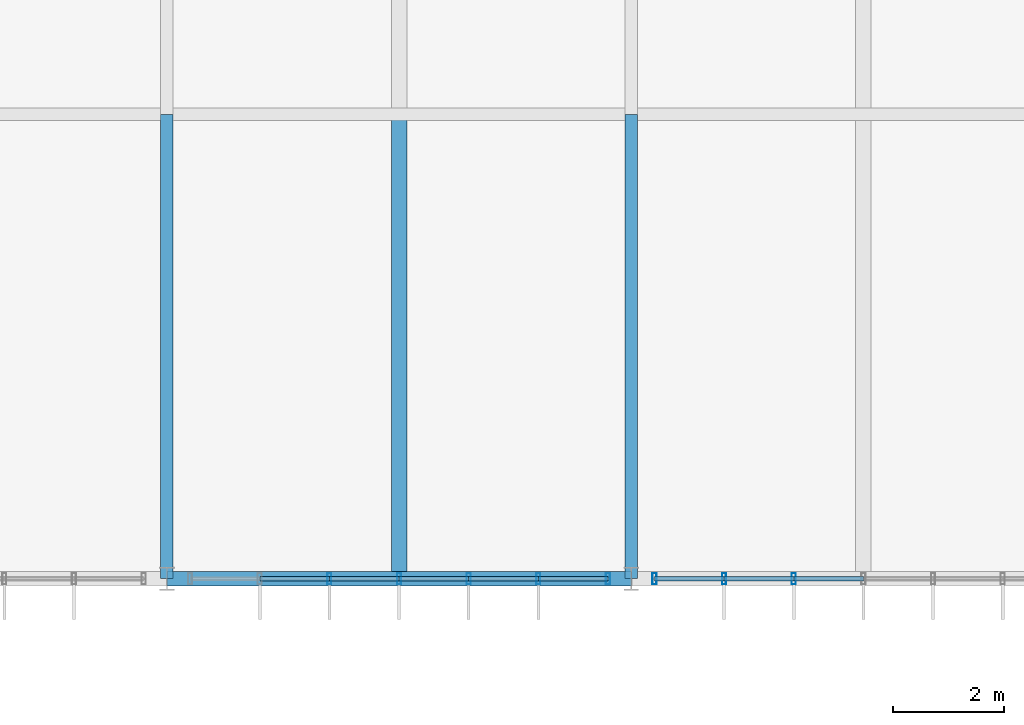
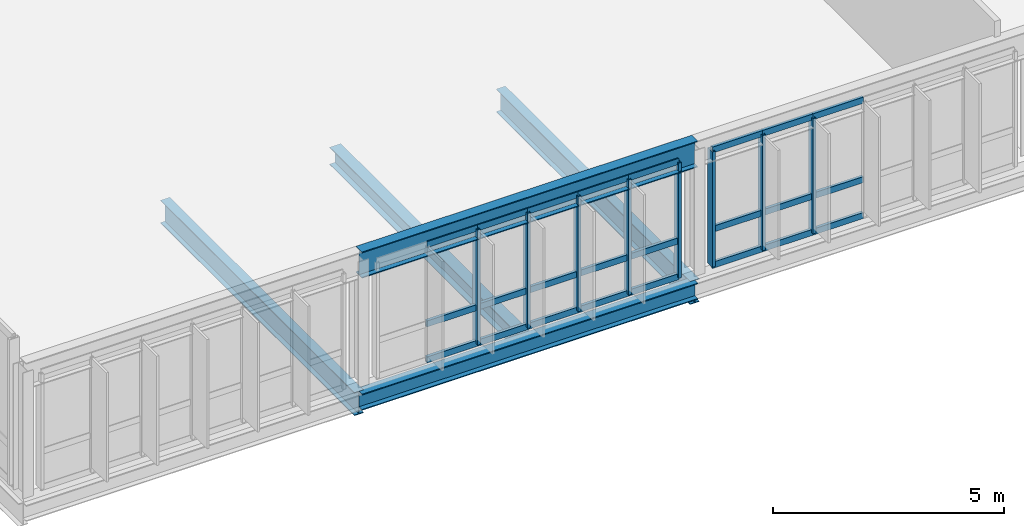
# One storey, part 14 of 107: 32 members, 5 beams, 2 elements without a shape of their own.
"""IFC4 building model written with IfcOpenShell, lengths in metres."""

from ifc_helpers import new_model, si_unit, derived_unit, direction, frame, origin, origin_2d, place, context, subcontext, project, spatial, hollow_rectangle, i_section, extrude, material, layer, layer_set, material_profile, profile_set, type_object, element, aggregate, save


model = new_model("IFC4")

# Units and contexts
model_context = context("Model", 3, precision=1e-05, world=origin(), true_north=direction((0.0, 1.0)))
body_context = subcontext(model_context, "Body", "Model", "MODEL_VIEW")
ifc_project = project(units=[si_unit("LENGTHUNIT", "METRE"), si_unit("AREAUNIT", "SQUARE_METRE"), si_unit("VOLUMEUNIT", "CUBIC_METRE"), si_unit("PLANEANGLEUNIT", "RADIAN"), si_unit("MASSUNIT", "GRAM", prefix="KILO"), derived_unit("THERMALTRANSMITTANCEUNIT", [(si_unit("MASSUNIT", "GRAM", prefix="KILO"), 1), (si_unit("TIMEUNIT", "SECOND"), -3), (si_unit("THERMODYNAMICTEMPERATUREUNIT", "KELVIN"), -1)])], contexts=[model_context])

# Site, building, storey
site_placement = place(None, origin())
site = spatial("IfcSite", under=ifc_project, at=site_placement, CompositionType="ELEMENT")
building_placement = place(site_placement, origin())
building = spatial("IfcBuilding", under=site, at=building_placement, Name="Makaiwela Harbour Ferry Terminal", CompositionType="ELEMENT")
storey_placement = place(building_placement, frame((0.0, 0.0, 9.60009765625)))
storey = spatial("IfcBuildingStorey", under=building, at=storey_placement, Name="L02", CompositionType="ELEMENT", Elevation=9.60009765625)

# Curtain wall, members
ifc_material_1 = material(Name="Marine anodised aluminium 6063-T6", Category="aluminium")
ifc_layer = layer(ifc_material_1, 0.199951171875)
ifc_layer_set = layer_set([ifc_layer], Name="Marine anodised aluminium 6063-T6")
curtain_wall_type = type_object("IfcCurtainWallType", Name="ENV-CW-11", PredefinedType="USERDEFINED", material=ifc_layer_set)
curtain_wall_1_placement = place(storey_placement, origin())
curtain_wall_1 = element("IfcCurtainWall", 1, at=curtain_wall_1_placement, inside=storey, type_object=curtain_wall_type, Name="Unitised Curtain Wall CWA-102", ObjectType="UNITIZED CURTAIN WALL", PredefinedType="USERDEFINED")
ifc_material_profile_1 = material_profile(ifc_material_1, hollow_rectangle(XDim=0.074951171875, YDim=0.199951171875, WallThickness=0.00390625, at=origin_2d()), Name="CWM-200X75")
ifc_profile_set_1 = profile_set([ifc_material_profile_1], Name="Marine anodised aluminium 6063-T6")
member_type_1 = type_object("IfcMemberType", Name="CW-MUL-200", PredefinedType="MULLION", material=ifc_profile_set_1)
member_1_placement = place(storey_placement, frame((45.780029296875, 25.199951171875, 0.0), z_axis=(0.0, 0.0, 1.0), x_axis=(1.0, 0.0, 0.0)))
member_1 = element("IfcMember", 2, at=member_1_placement, type_object=member_type_1, Name="Curtain Wall Mullion CWA-102-1", PredefinedType="MULLION", context=body_context, shape_type="SweptSolid", body=[
    extrude(hollow_rectangle(XDim=0.074951171875, YDim=0.199951171875, WallThickness=0.00390625, at=origin_2d()), origin(), (0.0, 0.0, 1.0), 3.0498046875),
])
member_2_placement = place(storey_placement, frame((44.52001953125, 25.199951171875, 0.0), z_axis=(0.0, 0.0, 1.0), x_axis=(1.0, 0.0, 0.0)))
member_2 = element("IfcMember", 3, at=member_2_placement, type_object=member_type_1, Name="Curtain Wall Mullion CWA-102-2", PredefinedType="MULLION", context=body_context, shape_type="SweptSolid", body=[
    extrude(hollow_rectangle(XDim=0.074951171875, YDim=0.199951171875, WallThickness=0.00390625, at=origin_2d()), origin(), (0.0, 0.0, 1.0), 3.0498046875),
])
member_3_placement = place(storey_placement, frame((43.260009765625, 25.199951171875, 0.0), z_axis=(0.0, 0.0, 1.0), x_axis=(1.0, 0.0, 0.0)))
member_3 = element("IfcMember", 4, at=member_3_placement, type_object=member_type_1, Name="Curtain Wall Mullion CWA-102-3", PredefinedType="MULLION", context=body_context, shape_type="SweptSolid", body=[
    extrude(hollow_rectangle(XDim=0.074951171875, YDim=0.199951171875, WallThickness=0.00390625, at=origin_2d()), origin(), (0.0, 0.0, 1.0), 3.0498046875),
])
member_4_placement = place(storey_placement, frame((42.0, 25.199951171875, 0.0), z_axis=(0.0, 0.0, 1.0), x_axis=(1.0, 0.0, 0.0)))
member_4 = element("IfcMember", 5, at=member_4_placement, type_object=member_type_1, Name="Curtain Wall Mullion CWA-102-4", PredefinedType="MULLION", context=body_context, shape_type="SweptSolid", body=[
    extrude(hollow_rectangle(XDim=0.074951171875, YDim=0.199951171875, WallThickness=0.00390625, at=origin_2d()), origin(), (0.0, 0.0, 1.0), 3.0498046875),
])
member_5_placement = place(storey_placement, frame((40.739990234375, 25.199951171875, 0.0), z_axis=(0.0, 0.0, 1.0), x_axis=(1.0, 0.0, 0.0)))
member_5 = element("IfcMember", 6, at=member_5_placement, type_object=member_type_1, Name="Curtain Wall Mullion CWA-102-5", PredefinedType="MULLION", context=body_context, shape_type="SweptSolid", body=[
    extrude(hollow_rectangle(XDim=0.074951171875, YDim=0.199951171875, WallThickness=0.00390625, at=origin_2d()), origin(), (0.0, 0.0, 1.0), 3.0498046875),
])

curtain_wall_2_placement = place(storey_placement, origin())
curtain_wall_2 = element("IfcCurtainWall", 7, at=curtain_wall_2_placement, inside=storey, type_object=curtain_wall_type, Name="Unitised Curtain Wall CWA-105", ObjectType="UNITIZED CURTAIN WALL", PredefinedType="USERDEFINED")
member_6_placement = place(storey_placement, frame((49.139892578125, 25.199951171875, 0.0), z_axis=(0.0, 0.0, 1.0), x_axis=(1.0, 0.0, 0.0)))
member_6 = element("IfcMember", 8, at=member_6_placement, type_object=member_type_1, Name="Curtain Wall Mullion CWA-105-5", PredefinedType="MULLION", context=body_context, shape_type="SweptSolid", body=[
    extrude(hollow_rectangle(XDim=0.074951171875, YDim=0.199951171875, WallThickness=0.00390625, at=origin_2d()), origin(), (0.0, 0.0, 1.0), 3.0498046875),
])
member_7_placement = place(storey_placement, frame((47.8798828125, 25.199951171875, 0.0), z_axis=(0.0, 0.0, 1.0), x_axis=(1.0, 0.0, 0.0)))
member_7 = element("IfcMember", 9, at=member_7_placement, type_object=member_type_1, Name="Curtain Wall Mullion CWA-105-6", PredefinedType="MULLION", context=body_context, shape_type="SweptSolid", body=[
    extrude(hollow_rectangle(XDim=0.074951171875, YDim=0.199951171875, WallThickness=0.00390625, at=origin_2d()), origin(), (0.0, 0.0, 1.0), 3.0498046875),
])
member_8_placement = place(storey_placement, frame((46.6201171875, 25.199951171875, 0.0), z_axis=(0.0, 0.0, 1.0), x_axis=(1.0, 0.0, 0.0)))
member_8 = element("IfcMember", 10, at=member_8_placement, type_object=member_type_1, Name="Curtain Wall Mullion CWA-105-7", PredefinedType="MULLION", context=body_context, shape_type="SweptSolid", body=[
    extrude(hollow_rectangle(XDim=0.074951171875, YDim=0.199951171875, WallThickness=0.00390625, at=origin_2d()), origin(), (0.0, 0.0, 1.0), 3.0498046875),
])

# Member
ifc_material_profile_2 = material_profile(ifc_material_1, hollow_rectangle(XDim=0.074951171875, YDim=0.159912109375, WallThickness=0.00390625, at=origin_2d()), Name="CWT-160X75")
ifc_profile_set_2 = profile_set([ifc_material_profile_2], Name="Marine anodised aluminium 6063-T6")
member_type_2 = type_object("IfcMemberType", Name="CW-TRN-160", PredefinedType="USERDEFINED", material=ifc_profile_set_2)
member_9_placement = place(storey_placement, frame((45.780029296875, 25.199951171875, 0.0), z_axis=(-1.0, 0.0, 0.0), x_axis=(0.0, -1.0, 0.0)))
member_9 = element("IfcMember", 11, at=member_9_placement, type_object=member_type_2, Name="Curtain Wall Transom CWA-102-1-1", ObjectType="TRANSOM", PredefinedType="USERDEFINED", context=body_context, shape_type="SweptSolid", body=[
    extrude(hollow_rectangle(XDim=0.074951171875, YDim=0.159912109375, WallThickness=0.00390625, at=origin_2d()), origin(), (0.0, 0.0, 1.0), 1.260009765625),
])

member_10_placement = place(storey_placement, frame((45.780029296875, 25.199951171875, 0.949951171875), z_axis=(-1.0, 0.0, 0.0), x_axis=(0.0, -1.0, 0.0)))
member_10 = element("IfcMember", 12, at=member_10_placement, type_object=member_type_2, Name="Curtain Wall Transom CWA-102-1-2", ObjectType="TRANSOM", PredefinedType="USERDEFINED", context=body_context, shape_type="SweptSolid", body=[
    extrude(hollow_rectangle(XDim=0.074951171875, YDim=0.159912109375, WallThickness=0.00390625, at=origin_2d()), origin(), (0.0, 0.0, 1.0), 1.260009765625),
])

member_11_placement = place(storey_placement, frame((45.780029296875, 25.199951171875, 3.0498046875), z_axis=(-1.0, 0.0, 0.0), x_axis=(0.0, -1.0, 0.0)))
member_11 = element("IfcMember", 13, at=member_11_placement, type_object=member_type_2, Name="Curtain Wall Transom CWA-102-1-3", ObjectType="TRANSOM", PredefinedType="USERDEFINED", context=body_context, shape_type="SweptSolid", body=[
    extrude(hollow_rectangle(XDim=0.074951171875, YDim=0.159912109375, WallThickness=0.00390625, at=origin_2d()), origin(), (0.0, 0.0, 1.0), 1.260009765625),
])

member_12_placement = place(storey_placement, frame((44.52001953125, 25.199951171875, 0.0), z_axis=(-1.0, 0.0, 0.0), x_axis=(0.0, -1.0, 0.0)))
member_12 = element("IfcMember", 14, at=member_12_placement, type_object=member_type_2, Name="Curtain Wall Transom CWA-102-2-1", ObjectType="TRANSOM", PredefinedType="USERDEFINED", context=body_context, shape_type="SweptSolid", body=[
    extrude(hollow_rectangle(XDim=0.074951171875, YDim=0.159912109375, WallThickness=0.00390625, at=origin_2d()), origin(), (0.0, 0.0, 1.0), 1.260009765625),
])

member_13_placement = place(storey_placement, frame((44.52001953125, 25.199951171875, 0.949951171875), z_axis=(-1.0, 0.0, 0.0), x_axis=(0.0, -1.0, 0.0)))
member_13 = element("IfcMember", 15, at=member_13_placement, type_object=member_type_2, Name="Curtain Wall Transom CWA-102-2-2", ObjectType="TRANSOM", PredefinedType="USERDEFINED", context=body_context, shape_type="SweptSolid", body=[
    extrude(hollow_rectangle(XDim=0.074951171875, YDim=0.159912109375, WallThickness=0.00390625, at=origin_2d()), origin(), (0.0, 0.0, 1.0), 1.260009765625),
])

member_14_placement = place(storey_placement, frame((44.52001953125, 25.199951171875, 3.0498046875), z_axis=(-1.0, 0.0, 0.0), x_axis=(0.0, -1.0, 0.0)))
member_14 = element("IfcMember", 16, at=member_14_placement, type_object=member_type_2, Name="Curtain Wall Transom CWA-102-2-3", ObjectType="TRANSOM", PredefinedType="USERDEFINED", context=body_context, shape_type="SweptSolid", body=[
    extrude(hollow_rectangle(XDim=0.074951171875, YDim=0.159912109375, WallThickness=0.00390625, at=origin_2d()), origin(), (0.0, 0.0, 1.0), 1.260009765625),
])

member_15_placement = place(storey_placement, frame((43.260009765625, 25.199951171875, 0.0), z_axis=(-1.0, 0.0, 0.0), x_axis=(0.0, -1.0, 0.0)))
member_15 = element("IfcMember", 17, at=member_15_placement, type_object=member_type_2, Name="Curtain Wall Transom CWA-102-3-1", ObjectType="TRANSOM", PredefinedType="USERDEFINED", context=body_context, shape_type="SweptSolid", body=[
    extrude(hollow_rectangle(XDim=0.074951171875, YDim=0.159912109375, WallThickness=0.00390625, at=origin_2d()), origin(), (0.0, 0.0, 1.0), 1.260009765625),
])

member_16_placement = place(storey_placement, frame((43.260009765625, 25.199951171875, 0.949951171875), z_axis=(-1.0, 0.0, 0.0), x_axis=(0.0, -1.0, 0.0)))
member_16 = element("IfcMember", 18, at=member_16_placement, type_object=member_type_2, Name="Curtain Wall Transom CWA-102-3-2", ObjectType="TRANSOM", PredefinedType="USERDEFINED", context=body_context, shape_type="SweptSolid", body=[
    extrude(hollow_rectangle(XDim=0.074951171875, YDim=0.159912109375, WallThickness=0.00390625, at=origin_2d()), origin(), (0.0, 0.0, 1.0), 1.260009765625),
])

member_17_placement = place(storey_placement, frame((43.260009765625, 25.199951171875, 3.0498046875), z_axis=(-1.0, 0.0, 0.0), x_axis=(0.0, -1.0, 0.0)))
member_17 = element("IfcMember", 19, at=member_17_placement, type_object=member_type_2, Name="Curtain Wall Transom CWA-102-3-3", ObjectType="TRANSOM", PredefinedType="USERDEFINED", context=body_context, shape_type="SweptSolid", body=[
    extrude(hollow_rectangle(XDim=0.074951171875, YDim=0.159912109375, WallThickness=0.00390625, at=origin_2d()), origin(), (0.0, 0.0, 1.0), 1.260009765625),
])

member_18_placement = place(storey_placement, frame((42.0, 25.199951171875, 0.0), z_axis=(-1.0, 0.0, 0.0), x_axis=(0.0, -1.0, 0.0)))
member_18 = element("IfcMember", 20, at=member_18_placement, type_object=member_type_2, Name="Curtain Wall Transom CWA-102-4-1", ObjectType="TRANSOM", PredefinedType="USERDEFINED", context=body_context, shape_type="SweptSolid", body=[
    extrude(hollow_rectangle(XDim=0.074951171875, YDim=0.159912109375, WallThickness=0.00390625, at=origin_2d()), origin(), (0.0, 0.0, 1.0), 1.260009765625),
])

member_19_placement = place(storey_placement, frame((42.0, 25.199951171875, 0.949951171875), z_axis=(-1.0, 0.0, 0.0), x_axis=(0.0, -1.0, 0.0)))
member_19 = element("IfcMember", 21, at=member_19_placement, type_object=member_type_2, Name="Curtain Wall Transom CWA-102-4-2", ObjectType="TRANSOM", PredefinedType="USERDEFINED", context=body_context, shape_type="SweptSolid", body=[
    extrude(hollow_rectangle(XDim=0.074951171875, YDim=0.159912109375, WallThickness=0.00390625, at=origin_2d()), origin(), (0.0, 0.0, 1.0), 1.260009765625),
])

member_20_placement = place(storey_placement, frame((42.0, 25.199951171875, 3.0498046875), z_axis=(-1.0, 0.0, 0.0), x_axis=(0.0, -1.0, 0.0)))
member_20 = element("IfcMember", 22, at=member_20_placement, type_object=member_type_2, Name="Curtain Wall Transom CWA-102-4-3", ObjectType="TRANSOM", PredefinedType="USERDEFINED", context=body_context, shape_type="SweptSolid", body=[
    extrude(hollow_rectangle(XDim=0.074951171875, YDim=0.159912109375, WallThickness=0.00390625, at=origin_2d()), origin(), (0.0, 0.0, 1.0), 1.260009765625),
])

member_21_placement = place(storey_placement, frame((40.739990234375, 25.199951171875, 0.0), z_axis=(-1.0, 0.0, 0.0), x_axis=(0.0, -1.0, 0.0)))
member_21 = element("IfcMember", 23, at=member_21_placement, type_object=member_type_2, Name="Curtain Wall Transom CWA-102-5-1", ObjectType="TRANSOM", PredefinedType="USERDEFINED", context=body_context, shape_type="SweptSolid", body=[
    extrude(hollow_rectangle(XDim=0.074951171875, YDim=0.159912109375, WallThickness=0.00390625, at=origin_2d()), origin(), (0.0, 0.0, 1.0), 1.260009765625),
])

member_22_placement = place(storey_placement, frame((40.739990234375, 25.199951171875, 0.949951171875), z_axis=(-1.0, 0.0, 0.0), x_axis=(0.0, -1.0, 0.0)))
member_22 = element("IfcMember", 24, at=member_22_placement, type_object=member_type_2, Name="Curtain Wall Transom CWA-102-5-2", ObjectType="TRANSOM", PredefinedType="USERDEFINED", context=body_context, shape_type="SweptSolid", body=[
    extrude(hollow_rectangle(XDim=0.074951171875, YDim=0.159912109375, WallThickness=0.00390625, at=origin_2d()), origin(), (0.0, 0.0, 1.0), 1.260009765625),
])

member_23_placement = place(storey_placement, frame((40.739990234375, 25.199951171875, 3.0498046875), z_axis=(-1.0, 0.0, 0.0), x_axis=(0.0, -1.0, 0.0)))
member_23 = element("IfcMember", 25, at=member_23_placement, type_object=member_type_2, Name="Curtain Wall Transom CWA-102-5-3", ObjectType="TRANSOM", PredefinedType="USERDEFINED", context=body_context, shape_type="SweptSolid", body=[
    extrude(hollow_rectangle(XDim=0.074951171875, YDim=0.159912109375, WallThickness=0.00390625, at=origin_2d()), origin(), (0.0, 0.0, 1.0), 1.260009765625),
])

aggregate(curtain_wall_1, [member_1, member_2, member_3, member_4, member_5, member_9, member_10, member_11, member_12, member_13, member_14, member_15, member_16, member_17, member_18, member_19, member_20, member_21, member_22, member_23])

member_24_placement = place(storey_placement, frame((50.39990234375, 25.199951171875, 0.0), z_axis=(-1.0, 0.0, 0.0), x_axis=(0.0, -1.0, 0.0)))
member_24 = element("IfcMember", 26, at=member_24_placement, type_object=member_type_2, Name="Curtain Wall Transom CWA-105-4-1", ObjectType="TRANSOM", PredefinedType="USERDEFINED", context=body_context, shape_type="SweptSolid", body=[
    extrude(hollow_rectangle(XDim=0.074951171875, YDim=0.159912109375, WallThickness=0.00390625, at=origin_2d()), origin(), (0.0, 0.0, 1.0), 1.260009765625),
])

member_25_placement = place(storey_placement, frame((50.39990234375, 25.199951171875, 0.949951171875), z_axis=(-1.0, 0.0, 0.0), x_axis=(0.0, -1.0, 0.0)))
member_25 = element("IfcMember", 27, at=member_25_placement, type_object=member_type_2, Name="Curtain Wall Transom CWA-105-4-2", ObjectType="TRANSOM", PredefinedType="USERDEFINED", context=body_context, shape_type="SweptSolid", body=[
    extrude(hollow_rectangle(XDim=0.074951171875, YDim=0.159912109375, WallThickness=0.00390625, at=origin_2d()), origin(), (0.0, 0.0, 1.0), 1.260009765625),
])

member_26_placement = place(storey_placement, frame((50.39990234375, 25.199951171875, 3.0498046875), z_axis=(-1.0, 0.0, 0.0), x_axis=(0.0, -1.0, 0.0)))
member_26 = element("IfcMember", 28, at=member_26_placement, type_object=member_type_2, Name="Curtain Wall Transom CWA-105-4-3", ObjectType="TRANSOM", PredefinedType="USERDEFINED", context=body_context, shape_type="SweptSolid", body=[
    extrude(hollow_rectangle(XDim=0.074951171875, YDim=0.159912109375, WallThickness=0.00390625, at=origin_2d()), origin(), (0.0, 0.0, 1.0), 1.260009765625),
])

member_27_placement = place(storey_placement, frame((49.139892578125, 25.199951171875, 0.0), z_axis=(-1.0, 0.0, 0.0), x_axis=(0.0, -1.0, 0.0)))
member_27 = element("IfcMember", 29, at=member_27_placement, type_object=member_type_2, Name="Curtain Wall Transom CWA-105-5-1", ObjectType="TRANSOM", PredefinedType="USERDEFINED", context=body_context, shape_type="SweptSolid", body=[
    extrude(hollow_rectangle(XDim=0.074951171875, YDim=0.159912109375, WallThickness=0.00390625, at=origin_2d()), origin(), (0.0, 0.0, 1.0), 1.260009765625),
])

member_28_placement = place(storey_placement, frame((49.139892578125, 25.199951171875, 0.949951171875), z_axis=(-1.0, 0.0, 0.0), x_axis=(0.0, -1.0, 0.0)))
member_28 = element("IfcMember", 30, at=member_28_placement, type_object=member_type_2, Name="Curtain Wall Transom CWA-105-5-2", ObjectType="TRANSOM", PredefinedType="USERDEFINED", context=body_context, shape_type="SweptSolid", body=[
    extrude(hollow_rectangle(XDim=0.074951171875, YDim=0.159912109375, WallThickness=0.00390625, at=origin_2d()), origin(), (0.0, 0.0, 1.0), 1.260009765625),
])

member_29_placement = place(storey_placement, frame((49.139892578125, 25.199951171875, 3.0498046875), z_axis=(-1.0, 0.0, 0.0), x_axis=(0.0, -1.0, 0.0)))
member_29 = element("IfcMember", 31, at=member_29_placement, type_object=member_type_2, Name="Curtain Wall Transom CWA-105-5-3", ObjectType="TRANSOM", PredefinedType="USERDEFINED", context=body_context, shape_type="SweptSolid", body=[
    extrude(hollow_rectangle(XDim=0.074951171875, YDim=0.159912109375, WallThickness=0.00390625, at=origin_2d()), origin(), (0.0, 0.0, 1.0), 1.260009765625),
])

member_30_placement = place(storey_placement, frame((47.8798828125, 25.199951171875, 0.0), z_axis=(-1.0, 0.0, 0.0), x_axis=(0.0, -1.0, 0.0)))
member_30 = element("IfcMember", 32, at=member_30_placement, type_object=member_type_2, Name="Curtain Wall Transom CWA-105-6-1", ObjectType="TRANSOM", PredefinedType="USERDEFINED", context=body_context, shape_type="SweptSolid", body=[
    extrude(hollow_rectangle(XDim=0.074951171875, YDim=0.159912109375, WallThickness=0.00390625, at=origin_2d()), origin(), (0.0, 0.0, 1.0), 1.259765625),
])

member_31_placement = place(storey_placement, frame((47.8798828125, 25.199951171875, 0.949951171875), z_axis=(-1.0, 0.0, 0.0), x_axis=(0.0, -1.0, 0.0)))
member_31 = element("IfcMember", 33, at=member_31_placement, type_object=member_type_2, Name="Curtain Wall Transom CWA-105-6-2", ObjectType="TRANSOM", PredefinedType="USERDEFINED", context=body_context, shape_type="SweptSolid", body=[
    extrude(hollow_rectangle(XDim=0.074951171875, YDim=0.159912109375, WallThickness=0.00390625, at=origin_2d()), origin(), (0.0, 0.0, 1.0), 1.259765625),
])

member_32_placement = place(storey_placement, frame((47.8798828125, 25.199951171875, 3.0498046875), z_axis=(-1.0, 0.0, 0.0), x_axis=(0.0, -1.0, 0.0)))
member_32 = element("IfcMember", 34, at=member_32_placement, type_object=member_type_2, Name="Curtain Wall Transom CWA-105-6-3", ObjectType="TRANSOM", PredefinedType="USERDEFINED", context=body_context, shape_type="SweptSolid", body=[
    extrude(hollow_rectangle(XDim=0.074951171875, YDim=0.159912109375, WallThickness=0.00390625, at=origin_2d()), origin(), (0.0, 0.0, 1.0), 1.259765625),
])

aggregate(curtain_wall_2, [member_6, member_7, member_8, member_24, member_25, member_26, member_27, member_28, member_29, member_30, member_31, member_32])

# Beams
ifc_material_2 = material(Name="Steel ASTM A992 Grade 50", Category="steel")
ifc_material_profile_3 = material_profile(ifc_material_2, i_section(OverallWidth=0.280029296875, OverallDepth=0.462890625, WebThickness=0.0107421875, FlangeThickness=0.017333984375, at=origin_2d()), Name="W18X76")
ifc_profile_set_3 = profile_set([ifc_material_profile_3], Name="Steel ASTM A992 Grade 50")
beam_type_1 = type_object("IfcBeamType", Name="STR-BM-W18X76", PredefinedType="BEAM", material=ifc_profile_set_3)
beam_1_placement = place(storey_placement, frame((42.0, 25.314453125, -0.49169921875), z_axis=(0.0, 1.0, 0.0), x_axis=(-1.0, 0.0, 0.0)))
element("IfcBeam", 35, at=beam_1_placement, inside=storey, type_object=beam_type_1, Name="Secondary floor beam 1459", PredefinedType="BEAM", context=body_context, shape_type="SweptSolid", body=[
    extrude(i_section(OverallWidth=0.280029296875, OverallDepth=0.462890625, WebThickness=0.0107421875, FlangeThickness=0.017333984375, at=origin_2d()), origin(), (0.0, 0.0, 1.0), 8.18896484375),
])
ifc_material_profile_4 = material_profile(ifc_material_2, i_section(OverallWidth=0.22900390625, OverallDepth=0.612060546875, WebThickness=0.011962890625, FlangeThickness=0.01953125, at=origin_2d()), Name="W24X84")
ifc_profile_set_4 = profile_set([ifc_material_profile_4], Name="Steel ASTM A992 Grade 50")
beam_type_2 = type_object("IfcBeamType", Name="STR-GRD-W24X84", PredefinedType="USERDEFINED", material=ifc_profile_set_4)
for number, where, z_axis, x_axis, name in (
    (36, (37.800048828125, 25.199951171875, -0.566162109375), (0.0, 1.0, 0.0), (-1.0, 0.0, 0.0), "Primary Y girder 1349"),
    (37, (46.199951171875, 25.199951171875, -0.566162109375), (0.0, 1.0, 0.0), (-1.0, 0.0, 0.0), "Primary Y girder 1352"),
):
    element("IfcBeam", number, at=place(storey_placement, frame(where, z_axis=z_axis, x_axis=x_axis)), inside=storey, type_object=beam_type_2, Name=name, ObjectType="GIRDER", PredefinedType="USERDEFINED", context=body_context, shape_type="SweptSolid", body=[
        extrude(i_section(OverallWidth=0.22900390625, OverallDepth=0.612060546875, WebThickness=0.011962890625, FlangeThickness=0.01953125, at=origin_2d()), origin(), (0.0, 0.0, 1.0), 8.400146484375),
    ])
ifc_material_profile_5 = material_profile(ifc_material_2, i_section(OverallWidth=0.256103515625, OverallDepth=0.693115234375, WebThickness=0.014404296875, FlangeThickness=0.023681640625, at=origin_2d()), Name="W27X114")
ifc_profile_set_5 = profile_set([ifc_material_profile_5], Name="Steel ASTM A992 Grade 50")
beam_type_3 = type_object("IfcBeamType", Name="STR-GRD-W27X114", PredefinedType="USERDEFINED", material=ifc_profile_set_5)
beam_2_placement = place(storey_placement, frame((37.800048828125, 25.199951171875, 3.14990234375), z_axis=(1.0, 0.0, 0.0), x_axis=(0.0, 1.0, 0.0)))
element("IfcBeam", 38, at=beam_2_placement, inside=storey, type_object=beam_type_3, Name="Arrivals vault springing tie girder D-2", ObjectType="GIRDER", PredefinedType="USERDEFINED", context=body_context, shape_type="SweptSolid", body=[
    extrude(i_section(OverallWidth=0.256103515625, OverallDepth=0.693115234375, WebThickness=0.014404296875, FlangeThickness=0.023681640625, at=origin_2d()), origin(), (0.0, 0.0, 1.0), 8.39990234375),
])
ifc_material_profile_6 = material_profile(ifc_material_2, i_section(OverallWidth=0.264892578125, OverallDepth=0.430908203125, WebThickness=0.014892578125, FlangeThickness=0.02490234375, at=origin_2d()), Name="W16X100")
ifc_profile_set_6 = profile_set([ifc_material_profile_6], Name="Steel ASTM A992 Grade 50")
beam_type_4 = type_object("IfcBeamType", Name="STR-SPN-W16X100", PredefinedType="SPANDREL", material=ifc_profile_set_6)
beam_3_placement = place(storey_placement, frame((37.800048828125, 25.199951171875, -0.4755859375), z_axis=(1.0, 0.0, 0.0), x_axis=(0.0, 1.0, 0.0)))
element("IfcBeam", 39, at=beam_3_placement, inside=storey, type_object=beam_type_4, Name="Primary X girder 1224", PredefinedType="SPANDREL", context=body_context, shape_type="SweptSolid", body=[
    extrude(i_section(OverallWidth=0.264892578125, OverallDepth=0.430908203125, WebThickness=0.014892578125, FlangeThickness=0.02490234375, at=origin_2d()), origin(), (0.0, 0.0, 1.0), 8.39990234375),
])

save(model, "model.ifc")
